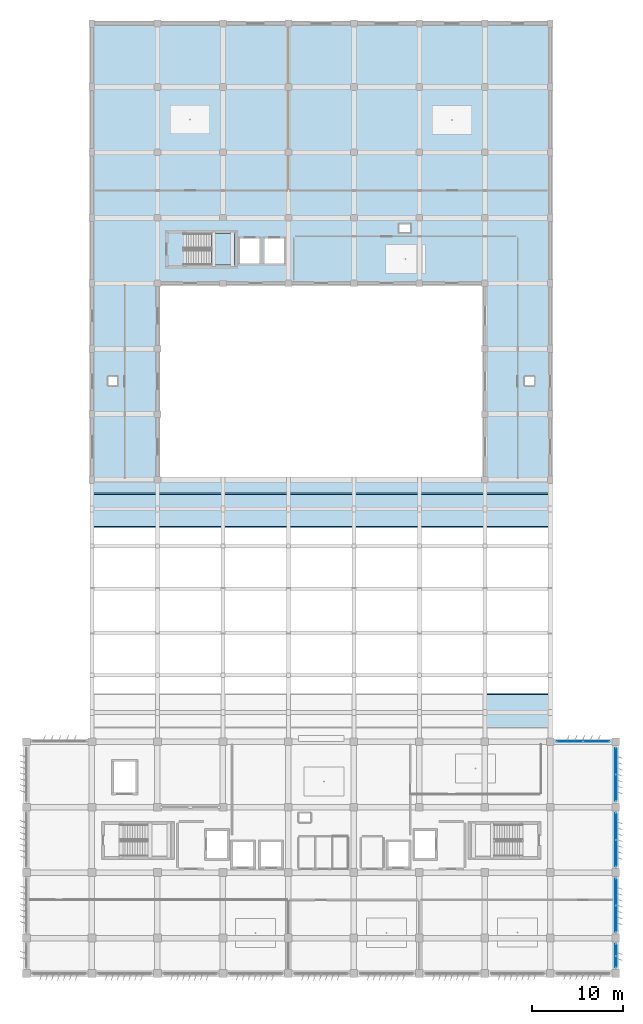
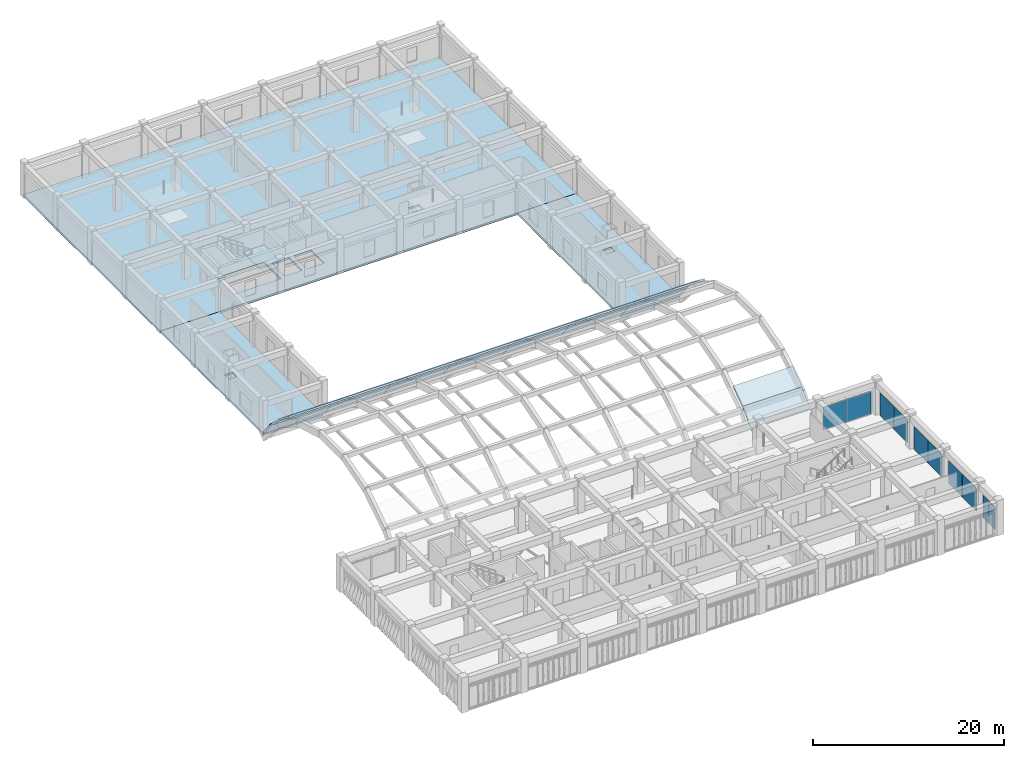
# One storey, part 26 of 48: 27 slabs, 10 plates, 6 elements without a shape of their own.
"""IFC4 building model written with IfcOpenShell, lengths in metres."""

from ifc_helpers import new_model, si_unit, direction, frame, origin, origin_2d, place, context, subcontext, project, spatial, polyline, rectangle, outline, extrude, material, layer, layer_set, type_object, element, aggregate, save


model = new_model("IFC4")

# Units and contexts
model_context = context("Model", 3, precision=1e-05, world=origin(), true_north=direction((0.0, 1.0)))
body_context = subcontext(model_context, "Body", "Model", "MODEL_VIEW")
ifc_project = project(units=[si_unit("LENGTHUNIT", "METRE"), si_unit("AREAUNIT", "SQUARE_METRE"), si_unit("VOLUMEUNIT", "CUBIC_METRE"), si_unit("PLANEANGLEUNIT", "RADIAN"), si_unit("MASSUNIT", "GRAM", prefix="KILO")], contexts=[model_context])

# Site, building, storey
site_placement = place(None, origin())
site = spatial("IfcSite", under=ifc_project, at=site_placement, CompositionType="ELEMENT")
building_placement = place(site_placement, origin())
building = spatial("IfcBuilding", under=site, at=building_placement, Name="Kazehaya Institute of Natural Sciences", CompositionType="ELEMENT")
storey_placement = place(building_placement, frame((0.0, 0.0, 19.800048828125)))
storey = spatial("IfcBuildingStorey", under=building, at=storey_placement, Name="L04", CompositionType="ELEMENT", Elevation=19.800048828125)

# Curtain wall, plates
ifc_material_1 = material(Name="Aluminium alloy A6063S-T5", Category="aluminium")
curtain_wall_type_1 = type_object("IfcCurtainWallType", Name="CW-SYS-04", PredefinedType="NOTDEFINED", material=ifc_material_1)
curtain_wall_1_placement = place(storey_placement, origin())
curtain_wall_1 = element("IfcCurtainWall", 1, at=curtain_wall_1_placement, inside=storey, type_object=curtain_wall_type_1, Name="L04 unitised curtain wall CW-L04-085", PredefinedType="NOTDEFINED")
ifc_material_2 = material(Name="Low-E double-glazed vision glass", Category="glass")
ifc_layer_1 = layer(ifc_material_2, 0.050048828125, Name="Low-E double-glazed vision glass", Category="glass")
ifc_layer_set_1 = layer_set([ifc_layer_1], Name="Low-E double-glazed vision glass")
plate_type_1 = type_object("IfcPlateType", Name="CWP-03", PredefinedType="CURTAIN_PANEL", material=ifc_layer_set_1)
plate_1_placement = place(storey_placement, frame((114.3349609375, 35.60009765625, 0.06005859375), z_axis=(0.0, 0.0, 1.0), x_axis=(1.0, 0.0, 0.0)))
plate_1 = element("IfcPlate", 2, at=plate_1_placement, type_object=plate_type_1, Name="CW04 panel 1.1", PredefinedType="CURTAIN_PANEL", context=body_context, shape_type="SweptSolid", body=[
    extrude(rectangle(XDim=2.8701171875, YDim=0.050048828125, at=origin_2d()), origin(), (0.0, 0.0, 1.0), 2.8798828125),
])
plate_2_placement = place(storey_placement, frame((117.264892578125, 35.60009765625, 0.06005859375), z_axis=(0.0, 0.0, 1.0), x_axis=(1.0, 0.0, 0.0)))
plate_2 = element("IfcPlate", 3, at=plate_2_placement, type_object=plate_type_1, Name="CW04 panel 2.1", PredefinedType="CURTAIN_PANEL", context=body_context, shape_type="SweptSolid", body=[
    extrude(rectangle(XDim=2.8701171875, YDim=0.050048828125, at=origin_2d()), origin(), (0.0, 0.0, 1.0), 2.8798828125),
])
aggregate(curtain_wall_1, [plate_1, plate_2])

curtain_wall_type_2 = type_object("IfcCurtainWallType", Name="CW-SYS-08", PredefinedType="NOTDEFINED", material=ifc_material_1)
curtain_wall_2_placement = place(storey_placement, origin())
curtain_wall_2 = element("IfcCurtainWall", 4, at=curtain_wall_2_placement, inside=storey, type_object=curtain_wall_type_2, Name="L04 unitised curtain wall CW-L04-087", PredefinedType="NOTDEFINED")
ifc_material_3 = material(Name="Insulated bronze aluminium spandrel panel", Category="aluminium")
ifc_layer_2 = layer(ifc_material_3, 0.080078125, Name="Insulated bronze aluminium spandrel panel", Category="aluminium")
ifc_layer_set_2 = layer_set([ifc_layer_2], Name="Insulated bronze aluminium spandrel panel")
plate_type_2 = type_object("IfcPlateType", Name="CWP-06", PredefinedType="CURTAIN_PANEL", material=ifc_layer_set_2)
plate_3_placement = place(storey_placement, frame((119.39990234375, 12.68994140625, 0.06005859375), z_axis=(0.0, 0.0, 1.0), x_axis=(0.0, -1.0, 0.0)))
plate_3 = element("IfcPlate", 5, at=plate_3_placement, type_object=plate_type_2, Name="CW08 panel 1.1", PredefinedType="CURTAIN_PANEL", context=body_context, shape_type="SweptSolid", body=[
    extrude(rectangle(XDim=1.219970703125, YDim=0.080078125, at=origin_2d()), origin(), (0.0, 0.0, 1.0), 2.8798828125),
])
plate_4_placement = place(storey_placement, frame((119.39990234375, 11.409912109375, 0.06005859375), z_axis=(0.0, 0.0, 1.0), x_axis=(0.0, -1.0, 0.0)))
plate_4 = element("IfcPlate", 6, at=plate_4_placement, type_object=plate_type_2, Name="CW08 panel 2.1", PredefinedType="CURTAIN_PANEL", context=body_context, shape_type="SweptSolid", body=[
    extrude(rectangle(XDim=1.219970703125, YDim=0.080078125, at=origin_2d()), origin(), (0.0, 0.0, 1.0), 2.8798828125),
])
aggregate(curtain_wall_2, [plate_3, plate_4])

curtain_wall_type_3 = type_object("IfcCurtainWallType", Name="CW-SYS-10", PredefinedType="NOTDEFINED", material=ifc_material_1)
curtain_wall_3_placement = place(storey_placement, origin())
curtain_wall_3 = element("IfcCurtainWall", 7, at=curtain_wall_3_placement, inside=storey, type_object=curtain_wall_type_3, Name="L04 unitised curtain wall CW-L04-089", PredefinedType="NOTDEFINED")
plate_5_placement = place(storey_placement, frame((119.39990234375, 19.06494140625, 0.06005859375), z_axis=(0.0, 0.0, 1.0), x_axis=(0.0, -1.0, 0.0)))
plate_5 = element("IfcPlate", 8, at=plate_5_placement, type_object=plate_type_2, Name="CW10 panel 1.1", PredefinedType="CURTAIN_PANEL", context=body_context, shape_type="SweptSolid", body=[
    extrude(rectangle(XDim=2.8701171875, YDim=0.080078125, at=origin_2d()), origin(), (0.0, 0.0, 1.0), 2.8798828125),
])
plate_6_placement = place(storey_placement, frame((119.39990234375, 16.135009765625, 0.06005859375), z_axis=(0.0, 0.0, 1.0), x_axis=(0.0, -1.0, 0.0)))
plate_6 = element("IfcPlate", 9, at=plate_6_placement, type_object=plate_type_2, Name="CW10 panel 2.1", PredefinedType="CURTAIN_PANEL", context=body_context, shape_type="SweptSolid", body=[
    extrude(rectangle(XDim=2.8701171875, YDim=0.080078125, at=origin_2d()), origin(), (0.0, 0.0, 1.0), 2.8798828125),
])
aggregate(curtain_wall_3, [plate_5, plate_6])

curtain_wall_4_placement = place(storey_placement, origin())
curtain_wall_4 = element("IfcCurtainWall", 10, at=curtain_wall_4_placement, inside=storey, type_object=curtain_wall_type_3, Name="L04 unitised curtain wall CW-L04-091", PredefinedType="NOTDEFINED")
plate_7_placement = place(storey_placement, frame((119.39990234375, 26.264892578125, 0.06005859375), z_axis=(0.0, 0.0, 1.0), x_axis=(0.0, -1.0, 0.0)))
plate_7 = element("IfcPlate", 11, at=plate_7_placement, type_object=plate_type_2, Name="CW10 panel 1.1", PredefinedType="CURTAIN_PANEL", context=body_context, shape_type="SweptSolid", body=[
    extrude(rectangle(XDim=2.8701171875, YDim=0.080078125, at=origin_2d()), origin(), (0.0, 0.0, 1.0), 2.8798828125),
])
plate_8_placement = place(storey_placement, frame((119.39990234375, 23.3349609375, 0.06005859375), z_axis=(0.0, 0.0, 1.0), x_axis=(0.0, -1.0, 0.0)))
plate_8 = element("IfcPlate", 12, at=plate_8_placement, type_object=plate_type_2, Name="CW10 panel 2.1", PredefinedType="CURTAIN_PANEL", context=body_context, shape_type="SweptSolid", body=[
    extrude(rectangle(XDim=2.8701171875, YDim=0.080078125, at=origin_2d()), origin(), (0.0, 0.0, 1.0), 2.8798828125),
])
aggregate(curtain_wall_4, [plate_7, plate_8])

curtain_wall_5_placement = place(storey_placement, origin())
curtain_wall_5 = element("IfcCurtainWall", 13, at=curtain_wall_5_placement, inside=storey, type_object=curtain_wall_type_3, Name="L04 unitised curtain wall CW-L04-093", PredefinedType="NOTDEFINED")
plate_9_placement = place(storey_placement, frame((119.39990234375, 33.465087890625, 0.06005859375), z_axis=(0.0, 0.0, 1.0), x_axis=(0.0, -1.0, 0.0)))
plate_9 = element("IfcPlate", 14, at=plate_9_placement, type_object=plate_type_2, Name="CW10 panel 1.1", PredefinedType="CURTAIN_PANEL", context=body_context, shape_type="SweptSolid", body=[
    extrude(rectangle(XDim=2.8701171875, YDim=0.080078125, at=origin_2d()), origin(), (0.0, 0.0, 1.0), 2.8798828125),
])
plate_10_placement = place(storey_placement, frame((119.39990234375, 30.534912109375, 0.06005859375), z_axis=(0.0, 0.0, 1.0), x_axis=(0.0, -1.0, 0.0)))
plate_10 = element("IfcPlate", 15, at=plate_10_placement, type_object=plate_type_2, Name="CW10 panel 2.1", PredefinedType="CURTAIN_PANEL", context=body_context, shape_type="SweptSolid", body=[
    extrude(rectangle(XDim=2.8701171875, YDim=0.080078125, at=origin_2d()), origin(), (0.0, 0.0, 1.0), 2.8798828125),
])
aggregate(curtain_wall_5, [plate_9, plate_10])

# Slabs
ifc_material_4 = material(Name="Concrete Fc36", Category="concrete")
ifc_layer_3 = layer(ifc_material_4, 0.239990234375, Name="Concrete Fc36", Category="concrete")
ifc_layer_set_3 = layer_set([ifc_layer_3], Name="Concrete Fc36")
slab_type_1 = type_object("IfcSlabType", Name="SL-FLR-240", PredefinedType="FLOOR", material=ifc_layer_set_3)
slab_1_placement = place(storey_placement, frame((0.0, 0.0, -0.239990234375)))
element("IfcSlab", 16, at=slab_1_placement, inside=storey, type_object=slab_type_1, Name="L04 structural slab L04-VOL5W", PredefinedType="FLOOR", context=body_context, shape_type="SweptSolid", body=[
    extrude(outline(polyline([(61.800048828125, 64.39990234375), (69.0, 64.39990234375), (69.0, 86.0), (61.800048828125, 86.0), (61.800048828125, 64.39990234375)]), holes=[polyline([(63.60009765625, 74.800048828125), (64.60009765625, 74.800048828125), (64.60009765625, 75.699951171875), (63.60009765625, 75.699951171875), (63.60009765625, 74.800048828125)])]), origin(), (0.0, 0.0, 1.0), 0.239990234375),
])
slab_2_placement = place(storey_placement, frame((0.0, 0.0, -0.239990234375)))
element("IfcSlab", 17, at=slab_2_placement, inside=storey, type_object=slab_type_1, Name="L04 structural slab L04-VOL5E", PredefinedType="FLOOR", context=body_context, shape_type="SweptSolid", body=[
    extrude(outline(polyline([(105.0, 64.39990234375), (112.199951171875, 64.39990234375), (112.199951171875, 86.0), (105.0, 86.0), (105.0, 64.39990234375)]), holes=[polyline([(109.39990234375, 74.800048828125), (110.39990234375, 74.800048828125), (110.39990234375, 75.699951171875), (109.39990234375, 75.699951171875), (109.39990234375, 74.800048828125)])]), origin(), (0.0, 0.0, 1.0), 0.239990234375),
])
ifc_layer_4 = layer(ifc_material_4, 0.25, Name="Concrete Fc36", Category="concrete")
ifc_layer_set_4 = layer_set([ifc_layer_4], Name="Concrete Fc36")
slab_type_2 = type_object("IfcSlabType", Name="SL-FLR-250", PredefinedType="FLOOR", material=ifc_layer_set_4)
slab_3_placement = place(storey_placement, frame((0.0, 0.0, -0.25)))
element("IfcSlab", 18, at=slab_3_placement, inside=storey, type_object=slab_type_2, Name="L04 structural slab L04-VOL5N", PredefinedType="FLOOR", context=body_context, shape_type="SweptSolid", body=[
    extrude(outline(polyline([(61.800048828125, 86.0), (112.199951171875, 86.0), (112.199951171875, 114.800048828125), (61.800048828125, 114.800048828125), (61.800048828125, 86.0)]), holes=[polyline([(95.60009765625, 91.60009765625), (96.800048828125, 91.60009765625), (96.800048828125, 92.5), (95.60009765625, 92.5), (95.60009765625, 91.60009765625)]), polyline([(71.860107421875, 88.0), (77.5, 88.0), (77.5, 91.47998046875), (71.860107421875, 91.47998046875), (71.860107421875, 88.0)]), polyline([(78.10009765625, 88.199951171875), (80.199951171875, 88.199951171875), (80.199951171875, 90.89990234375), (78.10009765625, 90.89990234375), (78.10009765625, 88.199951171875)]), polyline([(80.800048828125, 88.199951171875), (82.89990234375, 88.199951171875), (82.89990234375, 90.89990234375), (80.800048828125, 90.89990234375), (80.800048828125, 88.199951171875)])]), origin(), (0.0, 0.0, 1.0), 0.25),
])

# Stair, slab
stair_type = type_object("IfcStairType", Name="STR-DOG-4500", PredefinedType="HALF_TURN_STAIR", material=ifc_material_4)
stair_placement = place(storey_placement, origin())
stair = element("IfcStair", 19, at=stair_placement, inside=storey, type_object=stair_type, Name="L04 Protected Escape Stair ST-3", PredefinedType="HALF_TURN_STAIR")
ifc_layer_5 = layer(ifc_material_4, 0.159912109375, Name="Concrete Fc36", Category="concrete")
ifc_layer_set_5 = layer_set([ifc_layer_5], Name="Concrete Fc36")
slab_type_3 = type_object("IfcSlabType", Name="SL-LND-160", PredefinedType="LANDING", material=ifc_layer_set_5)
slab_4_placement = place(storey_placement, frame((0.0, 0.0, 2.050048828125)))
slab_4 = element("IfcSlab", 20, at=slab_4_placement, type_object=slab_type_3, Name="ST-3 landing 1", PredefinedType="LANDING", context=body_context, shape_type="SweptSolid", body=[
    extrude(outline(polyline([(74.93994140625, 88.0), (77.5, 88.0), (77.5, 91.47998046875), (74.93994140625, 91.47998046875), (74.93994140625, 88.0)])), origin(), (0.0, 0.0, 1.0), 0.199951171875),
])
aggregate(stair, [slab_4])

# Slabs
ifc_layer_6 = layer(ifc_material_4, 0.199951171875, Name="Concrete Fc36", Category="concrete")
ifc_layer_set_6 = layer_set([ifc_layer_6], Name="Concrete Fc36")
slab_type_4 = type_object("IfcSlabType", Name="SL-SHL-200", PredefinedType="ROOF", material=ifc_layer_set_6)
slab_5_placement = place(storey_placement, frame((61.800048828125, 59.239013671875, 5.306396484375), z_axis=(0.0, 0.595807312983, 0.803127415667), x_axis=(1.0, 0.0, 0.0)))
element("IfcSlab", 21, at=slab_5_placement, inside=storey, type_object=slab_type_4, Name="SH-VOL2 barrel vault shell strip 12", PredefinedType="ROOF", context=body_context, shape_type="SweptSolid", body=[
    extrude(outline(polyline([(0.0, 0.0), (7.199951171875, 0.0), (7.199951171875, 2.436459111222666), (0.0, 2.436459111222666), (0.0, 0.0)])), origin(), (0.0, 0.0, -1.0), 0.199951171875),
])
slab_6_placement = place(storey_placement, frame((61.800048828125, 61.19580078125, 3.854736328125), z_axis=(0.0, 0.703288467604, 0.710904586661), x_axis=(1.0, 0.0, 0.0)))
element("IfcSlab", 22, at=slab_6_placement, inside=storey, type_object=slab_type_4, Name="SH-VOL2 barrel vault shell strip 13", PredefinedType="ROOF", context=body_context, shape_type="SweptSolid", body=[
    extrude(outline(polyline([(0.0, 0.0), (7.199951171875, 0.0), (7.199951171875, 2.4362391609902008), (0.0, 2.4362391609902008), (0.0, 0.0)])), origin(), (0.0, 0.0, -1.0), 0.199951171875),
])
slab_7_placement = place(storey_placement, frame((61.800048828125, 62.927734375, 2.141357421875), z_axis=(0.0, 0.796814371737, 0.604224177763), x_axis=(1.0, 0.0, 0.0)))
element("IfcSlab", 23, at=slab_7_placement, inside=storey, type_object=slab_type_4, Name="SH-VOL2 barrel vault shell strip 14", PredefinedType="ROOF", context=body_context, shape_type="SweptSolid", body=[
    extrude(outline(polyline([(0.0, 0.0), (7.199951171875, 0.0), (7.199951171875, 2.4364598818270258), (0.0, 2.4364598818270258), (0.0, 0.0)])), origin(), (0.0, 0.0, -1.0), 0.199951171875),
])
slab_8_placement = place(storey_placement, frame((69.0, 59.239013671875, 5.306396484375), z_axis=(0.0, 0.595807312983, 0.803127415667), x_axis=(1.0, 0.0, 0.0)))
element("IfcSlab", 24, at=slab_8_placement, inside=storey, type_object=slab_type_4, Name="SH-VOL2 barrel vault shell strip 12", PredefinedType="ROOF", context=body_context, shape_type="SweptSolid", body=[
    extrude(outline(polyline([(0.0, 0.0), (7.199951171875, 0.0), (7.199951171875, 2.436459111222666), (0.0, 2.436459111222666), (0.0, 0.0)])), origin(), (0.0, 0.0, -1.0), 0.199951171875),
])
slab_9_placement = place(storey_placement, frame((69.0, 61.19580078125, 3.854736328125), z_axis=(0.0, 0.703288467604, 0.710904586661), x_axis=(1.0, 0.0, 0.0)))
element("IfcSlab", 25, at=slab_9_placement, inside=storey, type_object=slab_type_4, Name="SH-VOL2 barrel vault shell strip 13", PredefinedType="ROOF", context=body_context, shape_type="SweptSolid", body=[
    extrude(outline(polyline([(0.0, 0.0), (7.199951171875, 0.0), (7.199951171875, 2.4362391609902008), (0.0, 2.4362391609902008), (0.0, 0.0)])), origin(), (0.0, 0.0, -1.0), 0.199951171875),
])
slab_10_placement = place(storey_placement, frame((69.0, 62.927734375, 2.141357421875), z_axis=(0.0, 0.796814371737, 0.604224177763), x_axis=(1.0, 0.0, 0.0)))
element("IfcSlab", 26, at=slab_10_placement, inside=storey, type_object=slab_type_4, Name="SH-VOL2 barrel vault shell strip 14", PredefinedType="ROOF", context=body_context, shape_type="SweptSolid", body=[
    extrude(outline(polyline([(0.0, 0.0), (7.199951171875, 0.0), (7.199951171875, 2.4364598818270258), (0.0, 2.4364598818270258), (0.0, 0.0)])), origin(), (0.0, 0.0, -1.0), 0.199951171875),
])
slab_11_placement = place(storey_placement, frame((76.199951171875, 59.239013671875, 5.306396484375), z_axis=(0.0, 0.595807312983, 0.803127415667), x_axis=(1.0, 0.0, 0.0)))
element("IfcSlab", 27, at=slab_11_placement, inside=storey, type_object=slab_type_4, Name="SH-VOL2 barrel vault shell strip 12", PredefinedType="ROOF", context=body_context, shape_type="SweptSolid", body=[
    extrude(outline(polyline([(0.0, 0.0), (7.199951171875, 0.0), (7.199951171875, 2.436459111222666), (0.0, 2.436459111222666), (0.0, 0.0)])), origin(), (0.0, 0.0, -1.0), 0.199951171875),
])
slab_12_placement = place(storey_placement, frame((76.199951171875, 61.19580078125, 3.854736328125), z_axis=(0.0, 0.703288467604, 0.710904586661), x_axis=(1.0, 0.0, 0.0)))
element("IfcSlab", 28, at=slab_12_placement, inside=storey, type_object=slab_type_4, Name="SH-VOL2 barrel vault shell strip 13", PredefinedType="ROOF", context=body_context, shape_type="SweptSolid", body=[
    extrude(outline(polyline([(0.0, 0.0), (7.199951171875, 0.0), (7.199951171875, 2.4362391609902008), (0.0, 2.4362391609902008), (0.0, 0.0)])), origin(), (0.0, 0.0, -1.0), 0.199951171875),
])
slab_13_placement = place(storey_placement, frame((76.199951171875, 62.927734375, 2.141357421875), z_axis=(0.0, 0.796814371737, 0.604224177763), x_axis=(1.0, 0.0, 0.0)))
element("IfcSlab", 29, at=slab_13_placement, inside=storey, type_object=slab_type_4, Name="SH-VOL2 barrel vault shell strip 14", PredefinedType="ROOF", context=body_context, shape_type="SweptSolid", body=[
    extrude(outline(polyline([(0.0, 0.0), (7.199951171875, 0.0), (7.199951171875, 2.4364598818270258), (0.0, 2.4364598818270258), (0.0, 0.0)])), origin(), (0.0, 0.0, -1.0), 0.199951171875),
])
slab_14_placement = place(storey_placement, frame((83.39990234375, 59.239013671875, 5.306396484375), z_axis=(0.0, 0.595807312983, 0.803127415667), x_axis=(1.0, 0.0, 0.0)))
element("IfcSlab", 30, at=slab_14_placement, inside=storey, type_object=slab_type_4, Name="SH-VOL2 barrel vault shell strip 12", PredefinedType="ROOF", context=body_context, shape_type="SweptSolid", body=[
    extrude(outline(polyline([(0.0, 0.0), (7.2001953125, 0.0), (7.2001953125, 2.436459111222666), (0.0, 2.436459111222666), (0.0, 0.0)])), origin(), (0.0, 0.0, -1.0), 0.199951171875),
])
slab_15_placement = place(storey_placement, frame((83.39990234375, 61.19580078125, 3.854736328125), z_axis=(0.0, 0.703288467604, 0.710904586661), x_axis=(1.0, 0.0, 0.0)))
element("IfcSlab", 31, at=slab_15_placement, inside=storey, type_object=slab_type_4, Name="SH-VOL2 barrel vault shell strip 13", PredefinedType="ROOF", context=body_context, shape_type="SweptSolid", body=[
    extrude(outline(polyline([(0.0, 0.0), (7.2001953125, 0.0), (7.2001953125, 2.4362391609902008), (0.0, 2.4362391609902008), (0.0, 0.0)])), origin(), (0.0, 0.0, -1.0), 0.199951171875),
])
slab_16_placement = place(storey_placement, frame((83.39990234375, 62.927734375, 2.141357421875), z_axis=(0.0, 0.796814371737, 0.604224177763), x_axis=(1.0, 0.0, 0.0)))
element("IfcSlab", 32, at=slab_16_placement, inside=storey, type_object=slab_type_4, Name="SH-VOL2 barrel vault shell strip 14", PredefinedType="ROOF", context=body_context, shape_type="SweptSolid", body=[
    extrude(outline(polyline([(0.0, 0.0), (7.2001953125, 0.0), (7.2001953125, 2.4364598818270253), (0.0, 2.4364598818270253), (0.0, 0.0)])), origin(), (0.0, 0.0, -1.0), 0.199951171875),
])
slab_17_placement = place(storey_placement, frame((90.60009765625, 59.239013671875, 5.306396484375), z_axis=(0.0, 0.595807312983, 0.803127415667), x_axis=(1.0, 0.0, 0.0)))
element("IfcSlab", 33, at=slab_17_placement, inside=storey, type_object=slab_type_4, Name="SH-VOL2 barrel vault shell strip 12", PredefinedType="ROOF", context=body_context, shape_type="SweptSolid", body=[
    extrude(outline(polyline([(0.0, 0.0), (7.199951171875, 0.0), (7.199951171875, 2.436459111222666), (0.0, 2.436459111222666), (0.0, 0.0)])), origin(), (0.0, 0.0, -1.0), 0.199951171875),
])
slab_18_placement = place(storey_placement, frame((90.60009765625, 61.19580078125, 3.854736328125), z_axis=(0.0, 0.703288467604, 0.710904586661), x_axis=(1.0, 0.0, 0.0)))
element("IfcSlab", 34, at=slab_18_placement, inside=storey, type_object=slab_type_4, Name="SH-VOL2 barrel vault shell strip 13", PredefinedType="ROOF", context=body_context, shape_type="SweptSolid", body=[
    extrude(outline(polyline([(0.0, 0.0), (7.199951171875, 0.0), (7.199951171875, 2.4362391609902008), (0.0, 2.4362391609902008), (0.0, 0.0)])), origin(), (0.0, 0.0, -1.0), 0.199951171875),
])
slab_19_placement = place(storey_placement, frame((90.60009765625, 62.927734375, 2.141357421875), z_axis=(0.0, 0.796814371737, 0.604224177763), x_axis=(1.0, 0.0, 0.0)))
element("IfcSlab", 35, at=slab_19_placement, inside=storey, type_object=slab_type_4, Name="SH-VOL2 barrel vault shell strip 14", PredefinedType="ROOF", context=body_context, shape_type="SweptSolid", body=[
    extrude(outline(polyline([(0.0, 0.0), (7.199951171875, 0.0), (7.199951171875, 2.4364598818270258), (0.0, 2.4364598818270258), (0.0, 0.0)])), origin(), (0.0, 0.0, -1.0), 0.199951171875),
])
slab_20_placement = place(storey_placement, frame((97.800048828125, 59.239013671875, 5.306396484375), z_axis=(0.0, 0.595807312983, 0.803127415667), x_axis=(1.0, 0.0, 0.0)))
element("IfcSlab", 36, at=slab_20_placement, inside=storey, type_object=slab_type_4, Name="SH-VOL2 barrel vault shell strip 12", PredefinedType="ROOF", context=body_context, shape_type="SweptSolid", body=[
    extrude(outline(polyline([(0.0, 0.0), (7.199951171875, 0.0), (7.199951171875, 2.436459111222666), (0.0, 2.436459111222666), (0.0, 0.0)])), origin(), (0.0, 0.0, -1.0), 0.199951171875),
])
slab_21_placement = place(storey_placement, frame((97.800048828125, 61.19580078125, 3.854736328125), z_axis=(0.0, 0.703288467604, 0.710904586661), x_axis=(1.0, 0.0, 0.0)))
element("IfcSlab", 37, at=slab_21_placement, inside=storey, type_object=slab_type_4, Name="SH-VOL2 barrel vault shell strip 13", PredefinedType="ROOF", context=body_context, shape_type="SweptSolid", body=[
    extrude(outline(polyline([(0.0, 0.0), (7.199951171875, 0.0), (7.199951171875, 2.4362391609902008), (0.0, 2.4362391609902008), (0.0, 0.0)])), origin(), (0.0, 0.0, -1.0), 0.199951171875),
])
slab_22_placement = place(storey_placement, frame((97.800048828125, 62.927734375, 2.141357421875), z_axis=(0.0, 0.796814371737, 0.604224177763), x_axis=(1.0, 0.0, 0.0)))
element("IfcSlab", 38, at=slab_22_placement, inside=storey, type_object=slab_type_4, Name="SH-VOL2 barrel vault shell strip 14", PredefinedType="ROOF", context=body_context, shape_type="SweptSolid", body=[
    extrude(outline(polyline([(0.0, 0.0), (7.199951171875, 0.0), (7.199951171875, 2.4364598818270258), (0.0, 2.4364598818270258), (0.0, 0.0)])), origin(), (0.0, 0.0, -1.0), 0.199951171875),
])
slab_23_placement = place(storey_placement, frame((105.0, 37.072265625, 2.141357421875), z_axis=(0.0, -0.703288467604, 0.710904586661), x_axis=(1.0, 0.0, 0.0)))
element("IfcSlab", 39, at=slab_23_placement, inside=storey, type_object=slab_type_4, Name="SH-VOL2 barrel vault shell strip 2", PredefinedType="ROOF", context=body_context, shape_type="SweptSolid", body=[
    extrude(outline(polyline([(0.0, 0.0), (7.199951171875, 0.0), (7.199951171875, 2.4362391609902008), (0.0, 2.4362391609902008), (0.0, 0.0)])), origin(), (0.0, 0.0, -1.0), 0.199951171875),
])
for number, where, z_axis, x_axis, name in (
    (40, (105.0, 38.80419921875, 3.854736328125), (0.0, -0.595807312983, 0.803127415667), (1.0, 0.0, 0.0), "SH-VOL2 barrel vault shell strip 3"),
    (41, (105.0, 59.239013671875, 5.306396484375), (0.0, 0.595807312983, 0.803127415667), (1.0, 0.0, 0.0), "SH-VOL2 barrel vault shell strip 12"),
):
    element("IfcSlab", number, at=place(storey_placement, frame(where, z_axis=z_axis, x_axis=x_axis)), inside=storey, type_object=slab_type_4, Name=name, PredefinedType="ROOF", context=body_context, shape_type="SweptSolid", body=[
        extrude(outline(polyline([(0.0, 0.0), (7.199951171875, 0.0), (7.199951171875, 2.436459111222666), (0.0, 2.436459111222666), (0.0, 0.0)])), origin(), (0.0, 0.0, -1.0), 0.199951171875),
    ])
slab_24_placement = place(storey_placement, frame((105.0, 61.19580078125, 3.854736328125), z_axis=(0.0, 0.703288467604, 0.710904586661), x_axis=(1.0, 0.0, 0.0)))
element("IfcSlab", 42, at=slab_24_placement, inside=storey, type_object=slab_type_4, Name="SH-VOL2 barrel vault shell strip 13", PredefinedType="ROOF", context=body_context, shape_type="SweptSolid", body=[
    extrude(outline(polyline([(0.0, 0.0), (7.199951171875, 0.0), (7.199951171875, 2.4362391609902008), (0.0, 2.4362391609902008), (0.0, 0.0)])), origin(), (0.0, 0.0, -1.0), 0.199951171875),
])
slab_25_placement = place(storey_placement, frame((105.0, 62.927734375, 2.141357421875), z_axis=(0.0, 0.796814371737, 0.604224177763), x_axis=(1.0, 0.0, 0.0)))
element("IfcSlab", 43, at=slab_25_placement, inside=storey, type_object=slab_type_4, Name="SH-VOL2 barrel vault shell strip 14", PredefinedType="ROOF", context=body_context, shape_type="SweptSolid", body=[
    extrude(outline(polyline([(0.0, 0.0), (7.199951171875, 0.0), (7.199951171875, 2.4364598818270258), (0.0, 2.4364598818270258), (0.0, 0.0)])), origin(), (0.0, 0.0, -1.0), 0.199951171875),
])

save(model, "model.ifc")
